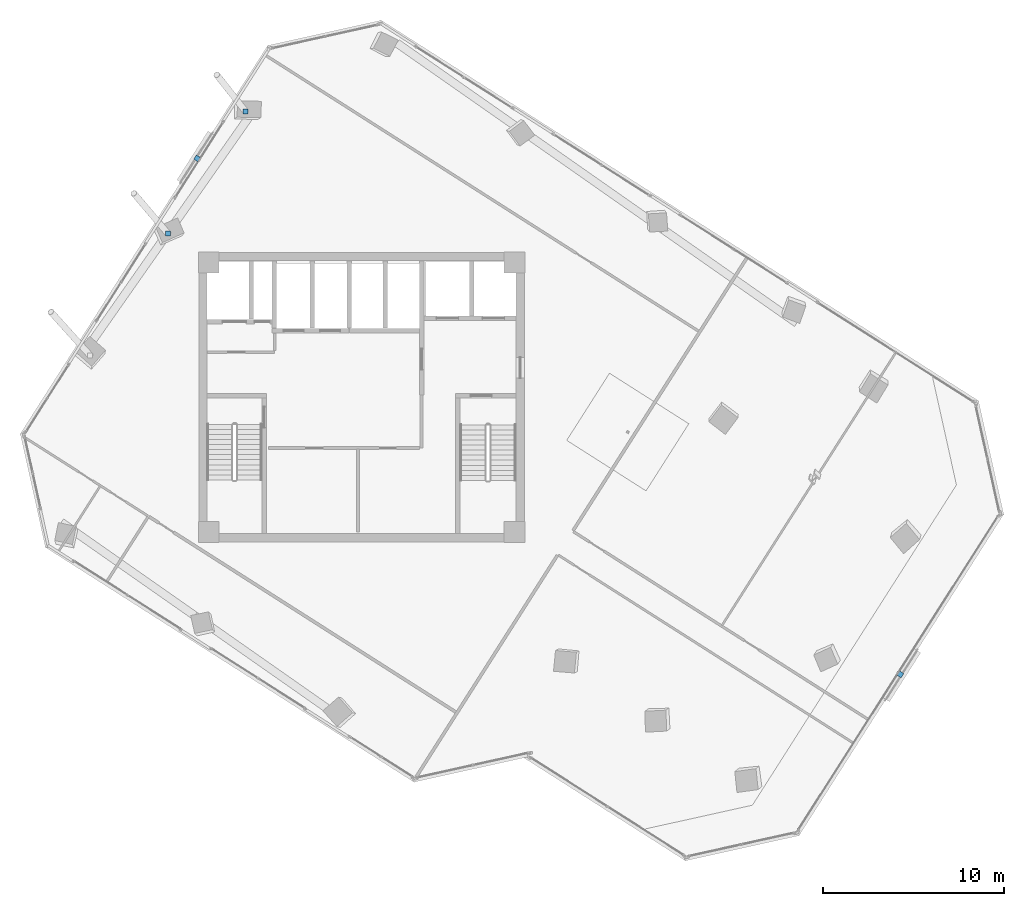
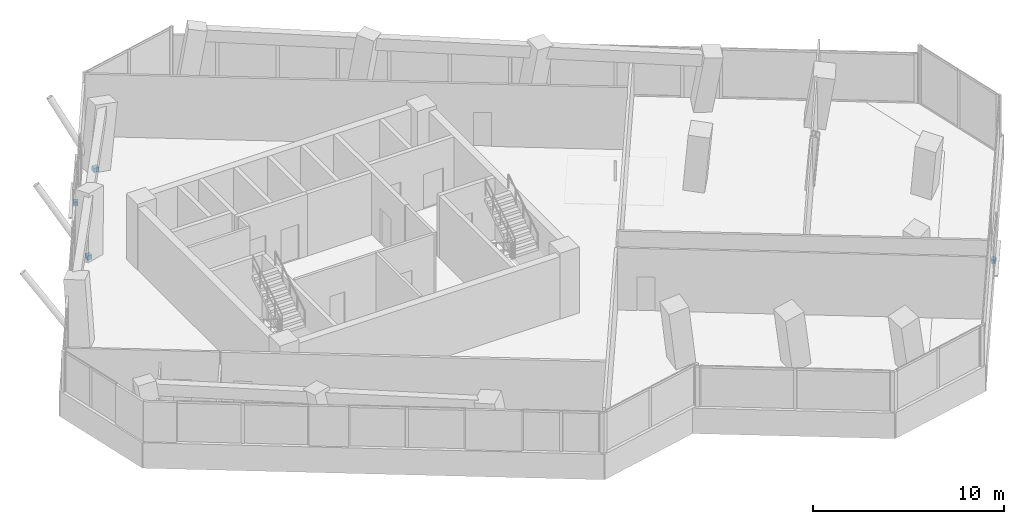
# One storey, part 21 of 24: 4 discrete accessories.
"""IFC4 building model written with IfcOpenShell, lengths in metres."""

from ifc_helpers import new_model, si_unit, direction, frame, origin, origin_2d, place, context, subcontext, project, spatial, rectangle, extrude, source, transform, mapped, material, type_object, element, save


model = new_model("IFC4")

# Units and contexts
model_context = context("Model", 3, precision=1e-05, world=origin(), true_north=direction((0.0, 1.0)))
body_context = subcontext(model_context, "Body", "Model", "MODEL_VIEW")
ifc_project = project(units=[si_unit("LENGTHUNIT", "METRE"), si_unit("AREAUNIT", "SQUARE_METRE"), si_unit("VOLUMEUNIT", "CUBIC_METRE"), si_unit("PLANEANGLEUNIT", "RADIAN"), si_unit("MASSUNIT", "GRAM", prefix="KILO")], contexts=[model_context])

# Site, building, storey
site_placement = place(None, origin())
site = spatial("IfcSite", under=ifc_project, at=site_placement, CompositionType="ELEMENT")
building_placement = place(site_placement, origin())
building = spatial("IfcBuilding", under=site, at=building_placement, Name="Torre Montelarca", CompositionType="ELEMENT")
storey_placement = place(building_placement, frame((0.0, 0.0, 191.800048828125)))
storey = spatial("IfcBuildingStorey", under=building, at=storey_placement, Name="L43", CompositionType="ELEMENT", Elevation=191.800048828125)

# Discrete accessories
ifc_material = material(Name="Stainless steel AISI 316", Category="steel")
discrete_accessory_type = type_object("IfcDiscreteAccessoryType", Name="ACC-BRACKET-SS", PredefinedType="BRACKET", material=ifc_material)
shared_shape_1 = source(origin(), body_context, "Body", "SweptSolid", [
    extrude(rectangle(XDim=0.280029296875, YDim=0.280029296875, at=origin_2d()), origin(), (0.0, 0.0, 1.0), 0.280029296875),
])
for number, where, z_axis, x_axis, name in (
    (1, (7.288818359375, 41.053466796875, 0.009765625), (0.0, 0.0, 1.0), (1.0, 0.0, 0.0), "L44 Raker End Connection Bracket W2-FT"),
    (2, (11.58740234375, 47.800537109375, 0.009765625), (0.0, 0.0, 1.0), (1.0, 0.0, 0.0), "L44 Raker End Connection Bracket W3-FT"),
):
    element("IfcDiscreteAccessory", number, at=place(storey_placement, frame(where, z_axis=z_axis, x_axis=x_axis)), inside=storey, type_object=discrete_accessory_type, Name=name, PredefinedType="BRACKET", context=body_context, shape_type="MappedRepresentation", body=[
        mapped(shared_shape_1, transform((0.0, 0.0, 0.0), scale=1.0)),
    ])
shared_shape_2 = source(origin(), body_context, "Body", "SweptSolid", [
    extrude(rectangle(XDim=0.280029296875, YDim=0.260009765625, at=origin_2d()), origin(), (0.0, 0.0, 1.0), 0.239990234375),
])
for number, where, z_axis, x_axis, name in (
    (3, (47.80078125, 16.66748046875, 0.39990234375), (0.0, 0.0, 1.0), (0.537299608347, 0.843391445813, 0.0), "L43 Solar Screen Support Bracket E6-1"),
    (4, (8.90185546875, 45.20458984375, 0.39990234375), (0.0, 0.0, 1.0), (-0.53729813635, -0.843392383576, 0.0), "L43 Solar Screen Support Bracket E10-1"),
):
    element("IfcDiscreteAccessory", number, at=place(storey_placement, frame(where, z_axis=z_axis, x_axis=x_axis)), inside=storey, type_object=discrete_accessory_type, Name=name, PredefinedType="BRACKET", context=body_context, shape_type="MappedRepresentation", body=[
        mapped(shared_shape_2, transform((0.0, 0.0, 0.0), scale=1.0)),
    ])

save(model, "model.ifc")
